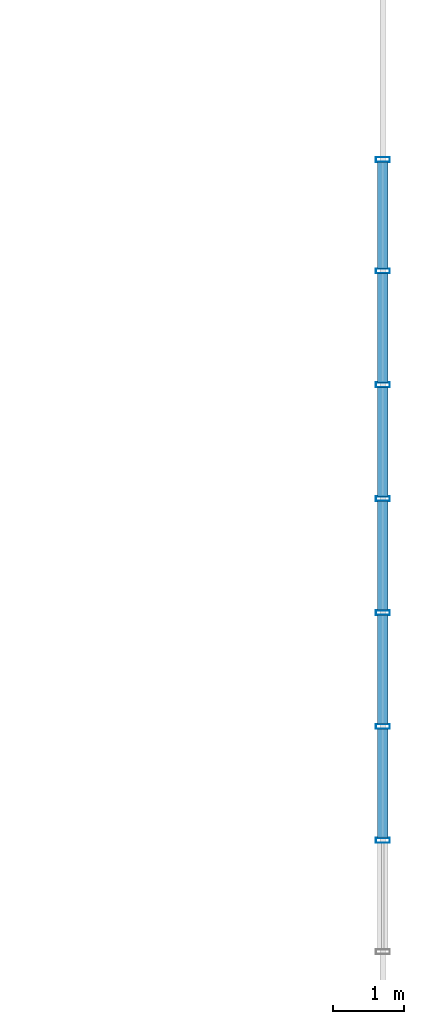
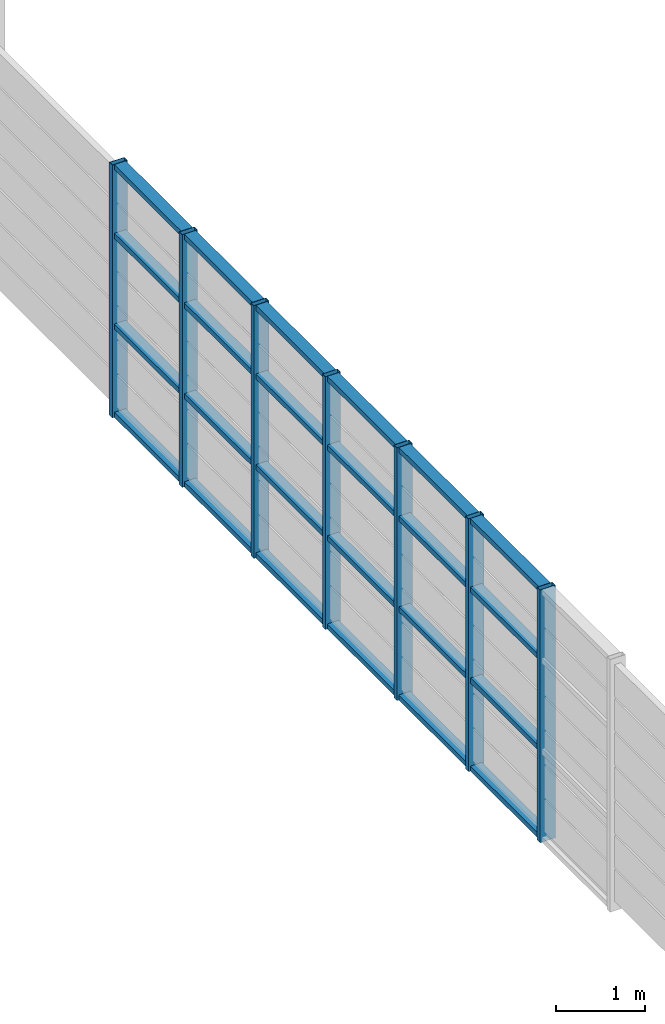
# One storey, part 11 of 21: 31 members, 1 element without a shape of its own.
"""IFC4 building model written with IfcOpenShell, lengths in metres."""

from ifc_helpers import new_model, si_unit, direction, frame, origin, origin_2d, place, context, subcontext, project, spatial, hollow_rectangle, extrude, source, transform, mapped, material, layer, layer_set, material_profile, profile_set, type_object, element, aggregate, save


model = new_model("IFC4")

# Units and contexts
model_context = context("Model", 3, precision=1e-05, world=origin(), true_north=direction((0.0, 1.0)))
body_context = subcontext(model_context, "Body", "Model", "MODEL_VIEW")
ifc_project = project(units=[si_unit("LENGTHUNIT", "METRE"), si_unit("AREAUNIT", "SQUARE_METRE"), si_unit("VOLUMEUNIT", "CUBIC_METRE"), si_unit("PLANEANGLEUNIT", "RADIAN"), si_unit("MASSUNIT", "GRAM", prefix="KILO")], contexts=[model_context])

# Site, building, storey
site_placement = place(None, origin())
site = spatial("IfcSite", under=ifc_project, at=site_placement, CompositionType="ELEMENT")
building_placement = place(site_placement, origin())
building = spatial("IfcBuilding", under=site, at=building_placement, Name="Saelheon Loggia Tower", CompositionType="ELEMENT")
storey_placement = place(building_placement, frame((0.0, 0.0, 267.39990234375)))
storey = spatial("IfcBuildingStorey", under=building, at=storey_placement, Name="CR5", CompositionType="ELEMENT", Elevation=267.39990234375)

# Curtain wall, members
ifc_material_1 = material(Name="Bronze-Anodised Aluminium and Fritted Ceramic Screen", Category="aluminium")
ifc_layer = layer(ifc_material_1, 0.219970703125)
ifc_layer_set = layer_set([ifc_layer], Name="Bronze-Anodised Aluminium and Fritted Ceramic Screen")
curtain_wall_type = type_object("IfcCurtainWallType", Name="CW_CrownScreen", PredefinedType="NOTDEFINED", material=ifc_layer_set)
curtain_wall_placement = place(storey_placement, origin())
curtain_wall = element("IfcCurtainWall", 1, at=curtain_wall_placement, inside=storey, type_object=curtain_wall_type, Name="CR5 Crown Central Screen Curtain Wall 3", PredefinedType="NOTDEFINED")
ifc_material_2 = material(Name="Bronze-Anodised Aluminium 6063-T6", Category="aluminium")
ifc_material_profile_1 = material_profile(ifc_material_2, hollow_rectangle(XDim=0.070068359375, YDim=0.199951171875, WallThickness=0.0048828125, at=origin_2d()), Name="RHS-200x70x5")
ifc_profile_set_1 = profile_set([ifc_material_profile_1], Name="Bronze-Anodised Aluminium 6063-T6")
member_type_1 = type_object("IfcMemberType", Name="CW_CrownScreen_Mullion", PredefinedType="MULLION", material=ifc_profile_set_1)
shared_shape_1 = source(origin(), body_context, "Body", "SweptSolid", [
    extrude(hollow_rectangle(XDim=0.070068359375, YDim=0.199951171875, WallThickness=0.0048828125, at=origin_2d()), origin(), (0.0, 0.0, 1.0), 3.47998046875),
])
member_1_placement = place(storey_placement, frame((52.64990234375, 22.96435546875, 0.0), z_axis=(0.0, 0.0, 1.0), x_axis=(0.0, 1.0, 0.0)))
member_1 = element("IfcMember", 2, at=member_1_placement, type_object=member_type_1, Name="CW6 mullion 2", PredefinedType="MULLION", context=body_context, shape_type="MappedRepresentation", body=[
    mapped(shared_shape_1, transform((0.0, 0.0, 0.0), scale=1.0)),
])
member_2_placement = place(storey_placement, frame((52.64990234375, 24.57861328125, 0.0), z_axis=(0.0, 0.0, 1.0), x_axis=(0.0, 1.0, 0.0)))
member_2 = element("IfcMember", 3, at=member_2_placement, type_object=member_type_1, Name="CW6 mullion 3", PredefinedType="MULLION", context=body_context, shape_type="MappedRepresentation", body=[
    mapped(shared_shape_1, transform((0.0, 0.0, 0.0), scale=1.0)),
])
member_3_placement = place(storey_placement, frame((52.64990234375, 26.19287109375, 0.0), z_axis=(0.0, 0.0, 1.0), x_axis=(0.0, 1.0, 0.0)))
member_3 = element("IfcMember", 4, at=member_3_placement, type_object=member_type_1, Name="CW6 mullion 4", PredefinedType="MULLION", context=body_context, shape_type="MappedRepresentation", body=[
    mapped(shared_shape_1, transform((0.0, 0.0, 0.0), scale=1.0)),
])
member_4_placement = place(storey_placement, frame((52.64990234375, 27.80712890625, 0.0), z_axis=(0.0, 0.0, 1.0), x_axis=(0.0, 1.0, 0.0)))
member_4 = element("IfcMember", 5, at=member_4_placement, type_object=member_type_1, Name="CW6 mullion 5", PredefinedType="MULLION", context=body_context, shape_type="MappedRepresentation", body=[
    mapped(shared_shape_1, transform((0.0, 0.0, 0.0), scale=1.0)),
])
member_5_placement = place(storey_placement, frame((52.64990234375, 29.42138671875, 0.0), z_axis=(0.0, 0.0, 1.0), x_axis=(0.0, 1.0, 0.0)))
member_5 = element("IfcMember", 6, at=member_5_placement, type_object=member_type_1, Name="CW6 mullion 6", PredefinedType="MULLION", context=body_context, shape_type="MappedRepresentation", body=[
    mapped(shared_shape_1, transform((0.0, 0.0, 0.0), scale=1.0)),
])
member_6_placement = place(storey_placement, frame((52.64990234375, 31.03564453125, 0.0), z_axis=(0.0, 0.0, 1.0), x_axis=(0.0, 1.0, 0.0)))
member_6 = element("IfcMember", 7, at=member_6_placement, type_object=member_type_1, Name="CW6 mullion 7", PredefinedType="MULLION", context=body_context, shape_type="MappedRepresentation", body=[
    mapped(shared_shape_1, transform((0.0, 0.0, 0.0), scale=1.0)),
])
member_7_placement = place(storey_placement, frame((52.64990234375, 32.614990234375, 0.0), z_axis=(0.0, 0.0, 1.0), x_axis=(0.0, 1.0, 0.0)))
member_7 = element("IfcMember", 8, at=member_7_placement, type_object=member_type_1, Name="CW6 mullion 8", PredefinedType="MULLION", context=body_context, shape_type="MappedRepresentation", body=[
    mapped(shared_shape_1, transform((0.0, 0.0, 0.0), scale=1.0)),
])
ifc_material_profile_2 = material_profile(ifc_material_2, hollow_rectangle(XDim=0.070068359375, YDim=0.14990234375, WallThickness=0.0048828125, at=origin_2d()), Name="RHS-150x70x5")
ifc_profile_set_2 = profile_set([ifc_material_profile_2], Name="Bronze-Anodised Aluminium 6063-T6")
member_type_2 = type_object("IfcMemberType", Name="CW_CrownScreen_Transom", PredefinedType="USERDEFINED", material=ifc_profile_set_2)
shared_shape_2 = source(origin(), body_context, "Body", "SweptSolid", [
    extrude(hollow_rectangle(XDim=0.070068359375, YDim=0.14990234375, WallThickness=0.0048828125, at=origin_2d()), origin(), (0.0, 0.0, 1.0), 1.50927734375),
])
member_8_placement = place(storey_placement, frame((52.64990234375, 31.07080078125, 0.03515625), z_axis=(0.0, 1.0, 0.0), x_axis=(0.0, 0.0, 1.0)))
member_8 = element("IfcMember", 9, at=member_8_placement, type_object=member_type_2, Name="CW6 transom 7.1", ObjectType="TRANSOM", PredefinedType="USERDEFINED", context=body_context, shape_type="MappedRepresentation", body=[
    mapped(shared_shape_2, transform((0.0, 0.0, 0.0), scale=1.0)),
])
member_9_placement = place(storey_placement, frame((52.64990234375, 31.07080078125, 1.25), z_axis=(0.0, 1.0, 0.0), x_axis=(0.0, 0.0, 1.0)))
member_9 = element("IfcMember", 10, at=member_9_placement, type_object=member_type_2, Name="CW6 transom 7.2", ObjectType="TRANSOM", PredefinedType="USERDEFINED", context=body_context, shape_type="MappedRepresentation", body=[
    mapped(shared_shape_2, transform((0.0, 0.0, 0.0), scale=1.0)),
])
member_10_placement = place(storey_placement, frame((52.64990234375, 31.07080078125, 2.5), z_axis=(0.0, 1.0, 0.0), x_axis=(0.0, 0.0, 1.0)))
member_10 = element("IfcMember", 11, at=member_10_placement, type_object=member_type_2, Name="CW6 transom 7.3", ObjectType="TRANSOM", PredefinedType="USERDEFINED", context=body_context, shape_type="MappedRepresentation", body=[
    mapped(shared_shape_2, transform((0.0, 0.0, 0.0), scale=1.0)),
])
member_11_placement = place(storey_placement, frame((52.64990234375, 31.07080078125, 3.445068359375), z_axis=(0.0, 1.0, 0.0), x_axis=(0.0, 0.0, 1.0)))
member_11 = element("IfcMember", 12, at=member_11_placement, type_object=member_type_2, Name="CW6 transom 7.4", ObjectType="TRANSOM", PredefinedType="USERDEFINED", context=body_context, shape_type="MappedRepresentation", body=[
    mapped(shared_shape_2, transform((0.0, 0.0, 0.0), scale=1.0)),
])
shared_shape_3 = source(origin(), body_context, "Body", "SweptSolid", [
    extrude(hollow_rectangle(XDim=0.070068359375, YDim=0.14990234375, WallThickness=0.0048828125, at=origin_2d()), origin(), (0.0, 0.0, 1.0), 1.544189453125),
])
member_12_placement = place(storey_placement, frame((52.64990234375, 22.999267578125, 0.03515625), z_axis=(0.0, 1.0, 0.0), x_axis=(0.0, 0.0, 1.0)))
member_12 = element("IfcMember", 13, at=member_12_placement, type_object=member_type_2, Name="CW6 transom 2.1", ObjectType="TRANSOM", PredefinedType="USERDEFINED", context=body_context, shape_type="MappedRepresentation", body=[
    mapped(shared_shape_3, transform((0.0, 0.0, 0.0), scale=1.0)),
])
member_13_placement = place(storey_placement, frame((52.64990234375, 22.999267578125, 1.25), z_axis=(0.0, 1.0, 0.0), x_axis=(0.0, 0.0, 1.0)))
member_13 = element("IfcMember", 14, at=member_13_placement, type_object=member_type_2, Name="CW6 transom 2.2", ObjectType="TRANSOM", PredefinedType="USERDEFINED", context=body_context, shape_type="MappedRepresentation", body=[
    mapped(shared_shape_3, transform((0.0, 0.0, 0.0), scale=1.0)),
])
member_14_placement = place(storey_placement, frame((52.64990234375, 22.999267578125, 2.5), z_axis=(0.0, 1.0, 0.0), x_axis=(0.0, 0.0, 1.0)))
member_14 = element("IfcMember", 15, at=member_14_placement, type_object=member_type_2, Name="CW6 transom 2.3", ObjectType="TRANSOM", PredefinedType="USERDEFINED", context=body_context, shape_type="MappedRepresentation", body=[
    mapped(shared_shape_3, transform((0.0, 0.0, 0.0), scale=1.0)),
])
member_15_placement = place(storey_placement, frame((52.64990234375, 22.999267578125, 3.445068359375), z_axis=(0.0, 1.0, 0.0), x_axis=(0.0, 0.0, 1.0)))
member_15 = element("IfcMember", 16, at=member_15_placement, type_object=member_type_2, Name="CW6 transom 2.4", ObjectType="TRANSOM", PredefinedType="USERDEFINED", context=body_context, shape_type="MappedRepresentation", body=[
    mapped(shared_shape_3, transform((0.0, 0.0, 0.0), scale=1.0)),
])
member_16_placement = place(storey_placement, frame((52.64990234375, 29.45654296875, 0.03515625), z_axis=(0.0, 1.0, 0.0), x_axis=(0.0, 0.0, 1.0)))
member_16 = element("IfcMember", 17, at=member_16_placement, type_object=member_type_2, Name="CW6 transom 6.1", ObjectType="TRANSOM", PredefinedType="USERDEFINED", context=body_context, shape_type="MappedRepresentation", body=[
    mapped(shared_shape_3, transform((0.0, 0.0, 0.0), scale=1.0)),
])
member_17_placement = place(storey_placement, frame((52.64990234375, 29.45654296875, 1.25), z_axis=(0.0, 1.0, 0.0), x_axis=(0.0, 0.0, 1.0)))
member_17 = element("IfcMember", 18, at=member_17_placement, type_object=member_type_2, Name="CW6 transom 6.2", ObjectType="TRANSOM", PredefinedType="USERDEFINED", context=body_context, shape_type="MappedRepresentation", body=[
    mapped(shared_shape_3, transform((0.0, 0.0, 0.0), scale=1.0)),
])
member_18_placement = place(storey_placement, frame((52.64990234375, 29.45654296875, 2.5), z_axis=(0.0, 1.0, 0.0), x_axis=(0.0, 0.0, 1.0)))
member_18 = element("IfcMember", 19, at=member_18_placement, type_object=member_type_2, Name="CW6 transom 6.3", ObjectType="TRANSOM", PredefinedType="USERDEFINED", context=body_context, shape_type="MappedRepresentation", body=[
    mapped(shared_shape_3, transform((0.0, 0.0, 0.0), scale=1.0)),
])
member_19_placement = place(storey_placement, frame((52.64990234375, 29.45654296875, 3.445068359375), z_axis=(0.0, 1.0, 0.0), x_axis=(0.0, 0.0, 1.0)))
member_19 = element("IfcMember", 20, at=member_19_placement, type_object=member_type_2, Name="CW6 transom 6.4", ObjectType="TRANSOM", PredefinedType="USERDEFINED", context=body_context, shape_type="MappedRepresentation", body=[
    mapped(shared_shape_3, transform((0.0, 0.0, 0.0), scale=1.0)),
])
shared_shape_4 = source(origin(), body_context, "Body", "SweptSolid", [
    extrude(hollow_rectangle(XDim=0.070068359375, YDim=0.14990234375, WallThickness=0.0048828125, at=origin_2d()), origin(), (0.0, 0.0, 1.0), 1.54443359375),
])
member_20_placement = place(storey_placement, frame((52.64990234375, 24.613525390625, 0.03515625), z_axis=(0.0, 1.0, 0.0), x_axis=(0.0, 0.0, 1.0)))
member_20 = element("IfcMember", 21, at=member_20_placement, type_object=member_type_2, Name="CW6 transom 3.1", ObjectType="TRANSOM", PredefinedType="USERDEFINED", context=body_context, shape_type="MappedRepresentation", body=[
    mapped(shared_shape_4, transform((0.0, 0.0, 0.0), scale=1.0)),
])
member_21_placement = place(storey_placement, frame((52.64990234375, 24.613525390625, 1.25), z_axis=(0.0, 1.0, 0.0), x_axis=(0.0, 0.0, 1.0)))
member_21 = element("IfcMember", 22, at=member_21_placement, type_object=member_type_2, Name="CW6 transom 3.2", ObjectType="TRANSOM", PredefinedType="USERDEFINED", context=body_context, shape_type="MappedRepresentation", body=[
    mapped(shared_shape_4, transform((0.0, 0.0, 0.0), scale=1.0)),
])
member_22_placement = place(storey_placement, frame((52.64990234375, 24.613525390625, 2.5), z_axis=(0.0, 1.0, 0.0), x_axis=(0.0, 0.0, 1.0)))
member_22 = element("IfcMember", 23, at=member_22_placement, type_object=member_type_2, Name="CW6 transom 3.3", ObjectType="TRANSOM", PredefinedType="USERDEFINED", context=body_context, shape_type="MappedRepresentation", body=[
    mapped(shared_shape_4, transform((0.0, 0.0, 0.0), scale=1.0)),
])
member_23_placement = place(storey_placement, frame((52.64990234375, 24.613525390625, 3.445068359375), z_axis=(0.0, 1.0, 0.0), x_axis=(0.0, 0.0, 1.0)))
member_23 = element("IfcMember", 24, at=member_23_placement, type_object=member_type_2, Name="CW6 transom 3.4", ObjectType="TRANSOM", PredefinedType="USERDEFINED", context=body_context, shape_type="MappedRepresentation", body=[
    mapped(shared_shape_4, transform((0.0, 0.0, 0.0), scale=1.0)),
])
member_24_placement = place(storey_placement, frame((52.64990234375, 26.227783203125, 0.03515625), z_axis=(0.0, 1.0, 0.0), x_axis=(0.0, 0.0, 1.0)))
member_24 = element("IfcMember", 25, at=member_24_placement, type_object=member_type_2, Name="CW6 transom 4.1", ObjectType="TRANSOM", PredefinedType="USERDEFINED", context=body_context, shape_type="MappedRepresentation", body=[
    mapped(shared_shape_4, transform((0.0, 0.0, 0.0), scale=1.0)),
])
member_25_placement = place(storey_placement, frame((52.64990234375, 26.227783203125, 1.25), z_axis=(0.0, 1.0, 0.0), x_axis=(0.0, 0.0, 1.0)))
member_25 = element("IfcMember", 26, at=member_25_placement, type_object=member_type_2, Name="CW6 transom 4.2", ObjectType="TRANSOM", PredefinedType="USERDEFINED", context=body_context, shape_type="MappedRepresentation", body=[
    mapped(shared_shape_4, transform((0.0, 0.0, 0.0), scale=1.0)),
])
member_26_placement = place(storey_placement, frame((52.64990234375, 26.227783203125, 2.5), z_axis=(0.0, 1.0, 0.0), x_axis=(0.0, 0.0, 1.0)))
member_26 = element("IfcMember", 27, at=member_26_placement, type_object=member_type_2, Name="CW6 transom 4.3", ObjectType="TRANSOM", PredefinedType="USERDEFINED", context=body_context, shape_type="MappedRepresentation", body=[
    mapped(shared_shape_4, transform((0.0, 0.0, 0.0), scale=1.0)),
])
member_27_placement = place(storey_placement, frame((52.64990234375, 26.227783203125, 3.445068359375), z_axis=(0.0, 1.0, 0.0), x_axis=(0.0, 0.0, 1.0)))
member_27 = element("IfcMember", 28, at=member_27_placement, type_object=member_type_2, Name="CW6 transom 4.4", ObjectType="TRANSOM", PredefinedType="USERDEFINED", context=body_context, shape_type="MappedRepresentation", body=[
    mapped(shared_shape_4, transform((0.0, 0.0, 0.0), scale=1.0)),
])
member_28_placement = place(storey_placement, frame((52.64990234375, 27.842041015625, 0.03515625), z_axis=(0.0, 1.0, 0.0), x_axis=(0.0, 0.0, 1.0)))
member_28 = element("IfcMember", 29, at=member_28_placement, type_object=member_type_2, Name="CW6 transom 5.1", ObjectType="TRANSOM", PredefinedType="USERDEFINED", context=body_context, shape_type="MappedRepresentation", body=[
    mapped(shared_shape_4, transform((0.0, 0.0, 0.0), scale=1.0)),
])
member_29_placement = place(storey_placement, frame((52.64990234375, 27.842041015625, 1.25), z_axis=(0.0, 1.0, 0.0), x_axis=(0.0, 0.0, 1.0)))
member_29 = element("IfcMember", 30, at=member_29_placement, type_object=member_type_2, Name="CW6 transom 5.2", ObjectType="TRANSOM", PredefinedType="USERDEFINED", context=body_context, shape_type="MappedRepresentation", body=[
    mapped(shared_shape_4, transform((0.0, 0.0, 0.0), scale=1.0)),
])
member_30_placement = place(storey_placement, frame((52.64990234375, 27.842041015625, 2.5), z_axis=(0.0, 1.0, 0.0), x_axis=(0.0, 0.0, 1.0)))
member_30 = element("IfcMember", 31, at=member_30_placement, type_object=member_type_2, Name="CW6 transom 5.3", ObjectType="TRANSOM", PredefinedType="USERDEFINED", context=body_context, shape_type="MappedRepresentation", body=[
    mapped(shared_shape_4, transform((0.0, 0.0, 0.0), scale=1.0)),
])
member_31_placement = place(storey_placement, frame((52.64990234375, 27.842041015625, 3.445068359375), z_axis=(0.0, 1.0, 0.0), x_axis=(0.0, 0.0, 1.0)))
member_31 = element("IfcMember", 32, at=member_31_placement, type_object=member_type_2, Name="CW6 transom 5.4", ObjectType="TRANSOM", PredefinedType="USERDEFINED", context=body_context, shape_type="MappedRepresentation", body=[
    mapped(shared_shape_4, transform((0.0, 0.0, 0.0), scale=1.0)),
])
aggregate(curtain_wall, [member_1, member_2, member_3, member_4, member_5, member_6, member_7, member_12, member_13, member_14, member_15, member_20, member_21, member_22, member_23, member_24, member_25, member_26, member_27, member_28, member_29, member_30, member_31, member_16, member_17, member_18, member_19, member_8, member_9, member_10, member_11])

save(model, "model.ifc")
